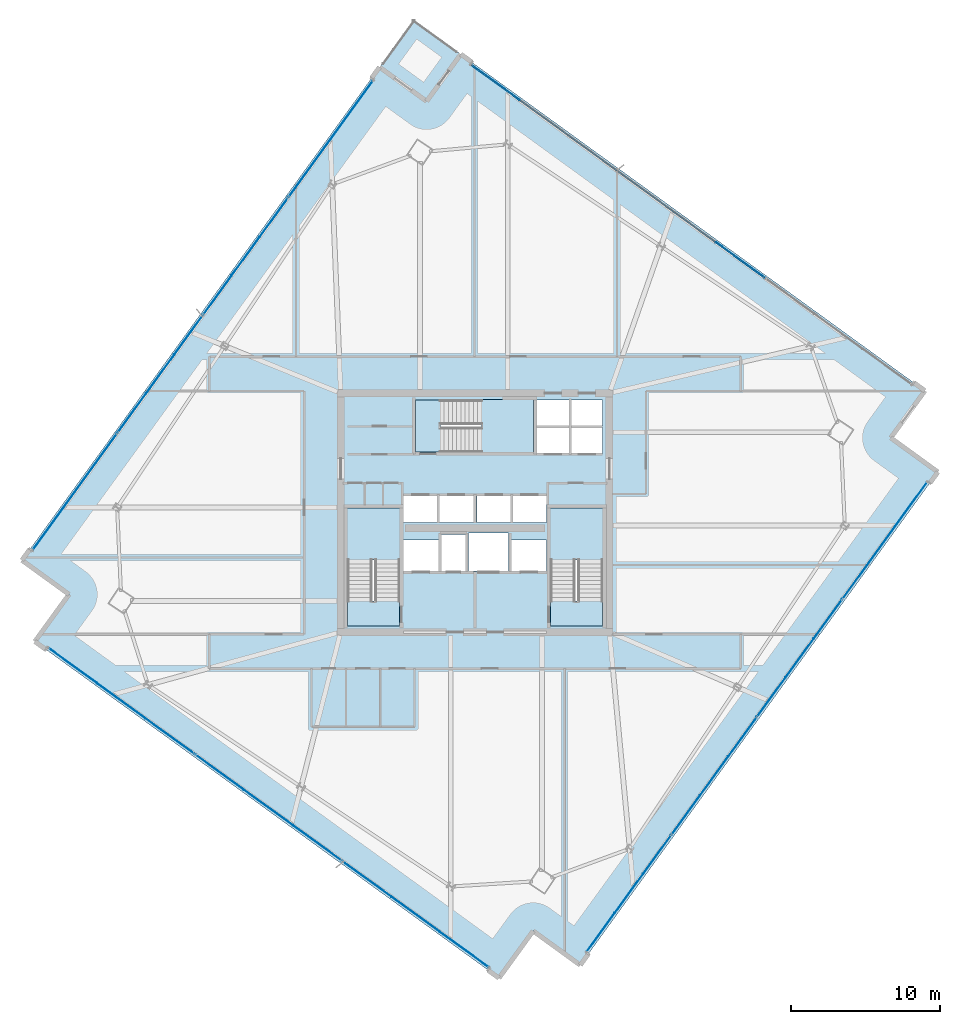
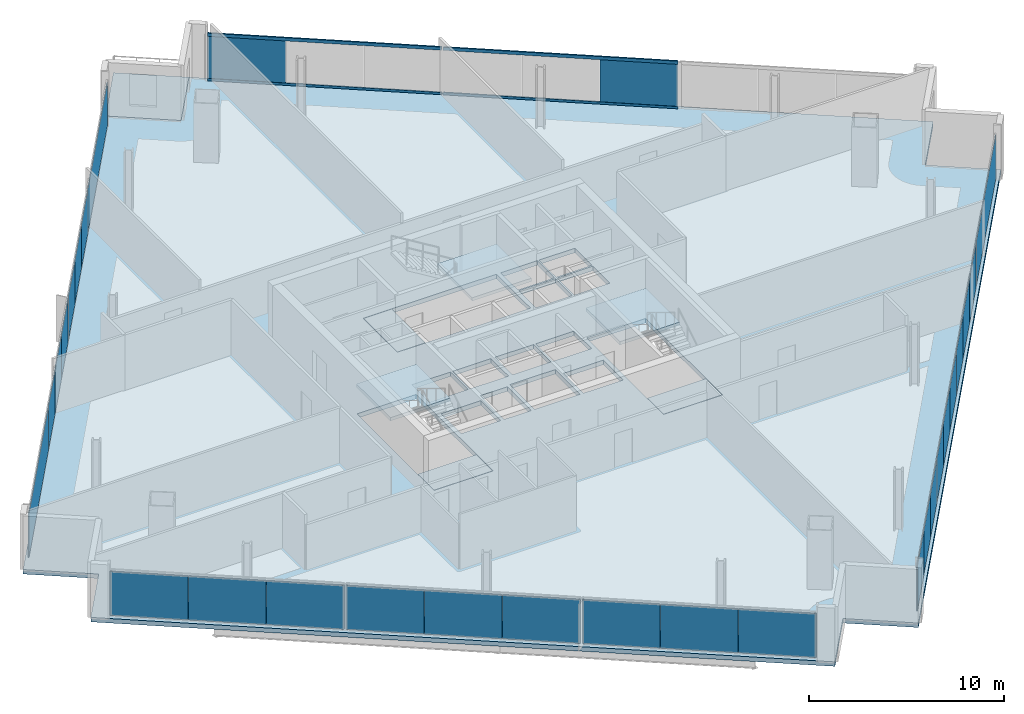
# One storey, part 20 of 29: 29 plates, 8 slabs, 4 members, 7 elements without a shape of their own.
"""IFC4 building model written with IfcOpenShell, lengths in metres."""

from ifc_helpers import new_model, si_unit, direction, frame, origin, origin_2d, place, context, subcontext, project, spatial, polyline, rectangle, hollow_rectangle, outline, extrude, source, transform, mapped, material, layer, layer_set, material_profile, profile_set, type_object, element, aggregate, save


model = new_model("IFC4")

# Units and contexts
model_context = context("Model", 3, precision=1e-05, world=origin(), true_north=direction((0.0, 1.0)))
body_context = subcontext(model_context, "Body", "Model", "MODEL_VIEW")
ifc_project = project(units=[si_unit("LENGTHUNIT", "METRE"), si_unit("AREAUNIT", "SQUARE_METRE"), si_unit("VOLUMEUNIT", "CUBIC_METRE"), si_unit("PLANEANGLEUNIT", "RADIAN"), si_unit("MASSUNIT", "GRAM", prefix="KILO")], contexts=[model_context])

# Site, building, storey
site_placement = place(None, origin())
site = spatial("IfcSite", under=ifc_project, at=site_placement, CompositionType="ELEMENT")
building_placement = place(site_placement, origin())
building = spatial("IfcBuilding", under=site, at=building_placement, Name="Haldenkirk Collegiate Tower", CompositionType="ELEMENT")
storey_placement = place(building_placement, frame((0.0, 0.0, 209.699951171875)))
storey = spatial("IfcBuildingStorey", under=building, at=storey_placement, Name="L52", CompositionType="ELEMENT", Elevation=209.699951171875)

# Curtain wall, members
ifc_material_1 = material(Name="Anodised architectural bronze aluminium", Category="aluminium")
curtain_wall_type_1 = type_object("IfcCurtainWallType", Name="CW-SYS1B-CONVEX-HI", PredefinedType="USERDEFINED", material=ifc_material_1)
curtain_wall_1_placement = place(storey_placement, origin())
curtain_wall_1 = element("IfcCurtainWall", 1, at=curtain_wall_1_placement, inside=storey, type_object=curtain_wall_type_1, Name="L52 Upper tower high-wind convex bronze unitised curtain wall", ObjectType="UNITISED CURTAIN WALL", PredefinedType="USERDEFINED")
ifc_material_profile = material_profile(ifc_material_1, hollow_rectangle(XDim=0.0849609375, YDim=0.199951171875, WallThickness=0.0048828125, at=origin_2d()), Name="CW-TRN-1B")
ifc_profile_set = profile_set([ifc_material_profile], Name="Anodised architectural bronze aluminium")
member_type = type_object("IfcMemberType", Name="CW-TRN-1B", PredefinedType="USERDEFINED", material=ifc_profile_set)
member_1_placement = place(storey_placement, frame((35.738525390625, 55.984619140625, 0.04248046875), z_axis=(0.80953812072, -0.587067313944, 0.0), x_axis=(0.587067313944, 0.80953812072, 0.0)))
member_1 = element("IfcMember", 2, at=member_1_placement, type_object=member_type, Name="CW-1B transom 1.1", ObjectType="TRANSOM", PredefinedType="USERDEFINED", context=body_context, shape_type="SweptSolid", body=[
    extrude(hollow_rectangle(XDim=0.0849609375, YDim=0.199951171875, WallThickness=0.0048828125, at=origin_2d()), origin(), (0.0, 0.0, 1.0), 12.072509765625),
])
member_2_placement = place(storey_placement, frame((35.738525390625, 55.984619140625, 2.885498046875), z_axis=(0.80953812072, -0.587067313944, 0.0), x_axis=(0.587067313944, 0.80953812072, 0.0)))
member_2 = element("IfcMember", 3, at=member_2_placement, type_object=member_type, Name="CW-1B transom 1.2", ObjectType="TRANSOM", PredefinedType="USERDEFINED", context=body_context, shape_type="SweptSolid", body=[
    extrude(hollow_rectangle(XDim=0.0849609375, YDim=0.199951171875, WallThickness=0.0048828125, at=origin_2d()), origin(), (0.0, 0.0, 1.0), 12.072509765625),
])
member_3_placement = place(storey_placement, frame((45.580322265625, 48.84716796875, 0.04248046875), z_axis=(0.809540529437, -0.587063992422, 0.0), x_axis=(0.587063992422, 0.809540529437, 0.0)))
member_3 = element("IfcMember", 4, at=member_3_placement, type_object=member_type, Name="CW-1B transom 2.1", ObjectType="TRANSOM", PredefinedType="USERDEFINED", context=body_context, shape_type="SweptSolid", body=[
    extrude(hollow_rectangle(XDim=0.0849609375, YDim=0.199951171875, WallThickness=0.0048828125, at=origin_2d()), origin(), (0.0, 0.0, 1.0), 12.114990234375),
])
member_4_placement = place(storey_placement, frame((45.580322265625, 48.84716796875, 2.885498046875), z_axis=(0.809540529437, -0.587063992422, 0.0), x_axis=(0.587063992422, 0.809540529437, 0.0)))
member_4 = element("IfcMember", 5, at=member_4_placement, type_object=member_type, Name="CW-1B transom 2.2", ObjectType="TRANSOM", PredefinedType="USERDEFINED", context=body_context, shape_type="SweptSolid", body=[
    extrude(hollow_rectangle(XDim=0.0849609375, YDim=0.199951171875, WallThickness=0.0048828125, at=origin_2d()), origin(), (0.0, 0.0, 1.0), 12.114990234375),
])

# Slab
ifc_material_2 = material(Name="Concrete f'c 40 MPa", Category="concrete")
ifc_layer_1 = layer(ifc_material_2, 0.280029296875)
ifc_layer_set_1 = layer_set([ifc_layer_1], Name="Concrete f'c 40 MPa")
slab_type_1 = type_object("IfcSlabType", Name="SLB-FLR-280", PredefinedType="FLOOR", material=ifc_layer_set_1)
slab_1_placement = place(storey_placement, frame((0.0, 0.0, -0.280029296875)))
element("IfcSlab", 6, at=slab_1_placement, inside=storey, type_object=slab_type_1, Name="L52 composite structural floor slab", PredefinedType="FLOOR", context=body_context, shape_type="SweptSolid", body=[
    extrude(outline(polyline([(43.047607421875, -4.310791015625), (67.00048828125, 28.718017578125), (63.84326171875, 31.0078125), (66.1328125, 34.164794921875), (35.046875, 56.708740234375), (32.75732421875, 53.551513671875), (29.60009765625, 55.841064453125), (5.647216796875, 22.812255859375), (8.804443359375, 20.522705078125), (6.514892578125, 17.365478515625), (37.600830078125, -5.17822265625), (39.890380859375, -2.021240234375), (43.047607421875, -4.310791015625)]), holes=[polyline([(27.449951171875, 18.39990234375), (30.949951171875, 18.39990234375), (30.949951171875, 26.300048828125), (27.449951171875, 26.300048828125), (27.449951171875, 18.39990234375)]), polyline([(41.050048828125, 18.39990234375), (44.550048828125, 18.39990234375), (44.550048828125, 26.300048828125), (41.050048828125, 26.300048828125), (41.050048828125, 18.39990234375)]), polyline([(32.0, 30.050048828125), (39.89990234375, 30.050048828125), (39.89990234375, 33.550048828125), (32.0, 33.550048828125), (32.0, 30.050048828125)]), polyline([(33.75, 22.10009765625), (35.35009765625, 22.10009765625), (35.35009765625, 24.550048828125), (33.75, 24.550048828125), (33.75, 22.10009765625)]), polyline([(40.14990234375, 29.949951171875), (42.320068359375, 29.949951171875), (42.320068359375, 31.699951171875), (40.14990234375, 31.699951171875), (40.14990234375, 29.949951171875)]), polyline([(42.419921875, 29.949951171875), (44.550048828125, 29.949951171875), (44.550048828125, 31.699951171875), (42.419921875, 31.699951171875), (42.419921875, 29.949951171875)]), polyline([(40.14990234375, 31.800048828125), (42.320068359375, 31.800048828125), (42.320068359375, 33.550048828125), (40.14990234375, 33.550048828125), (40.14990234375, 31.800048828125)]), polyline([(42.419921875, 31.800048828125), (44.550048828125, 31.800048828125), (44.550048828125, 33.550048828125), (42.419921875, 33.550048828125), (42.419921875, 31.800048828125)]), polyline([(31.199951171875, 25.35009765625), (33.47998046875, 25.35009765625), (33.47998046875, 27.14990234375), (31.199951171875, 27.14990234375), (31.199951171875, 25.35009765625)]), polyline([(33.60009765625, 25.35009765625), (35.8798828125, 25.35009765625), (35.8798828125, 27.14990234375), (33.60009765625, 27.14990234375), (33.60009765625, 25.35009765625)]), polyline([(36.1201171875, 25.35009765625), (38.39990234375, 25.35009765625), (38.39990234375, 27.14990234375), (36.1201171875, 27.14990234375), (36.1201171875, 25.35009765625)]), polyline([(38.52001953125, 25.35009765625), (40.800048828125, 25.35009765625), (40.800048828125, 27.14990234375), (38.52001953125, 27.14990234375), (38.52001953125, 25.35009765625)]), polyline([(31.199951171875, 22.10009765625), (33.550048828125, 22.10009765625), (33.550048828125, 24.14990234375), (31.199951171875, 24.14990234375), (31.199951171875, 22.10009765625)]), polyline([(38.449951171875, 22.10009765625), (40.800048828125, 22.10009765625), (40.800048828125, 24.14990234375), (38.449951171875, 24.14990234375), (38.449951171875, 22.10009765625)]), polyline([(35.550048828125, 22.10009765625), (38.25, 22.10009765625), (38.25, 24.64990234375), (35.550048828125, 24.64990234375), (35.550048828125, 22.10009765625)])]), origin(), (0.0, 0.0, 1.0), 0.280029296875),
])

# Stair, slab
stair_type = type_object("IfcStairType", Name="STR-DOGLEG-1650", PredefinedType="HALF_TURN_STAIR", material=ifc_material_2)
stair_1_placement = place(storey_placement, origin())
stair_1 = element("IfcStair", 7, at=stair_1_placement, inside=storey, type_object=stair_type, Name="L52 Core Exit Stair ST-1", PredefinedType="HALF_TURN_STAIR")
ifc_layer_2 = layer(ifc_material_2, 0.199951171875)
ifc_layer_set_2 = layer_set([ifc_layer_2], Name="Concrete f'c 40 MPa")
slab_type_2 = type_object("IfcSlabType", Name="SLB-LANDING-200", PredefinedType="LANDING", material=ifc_layer_set_2)
slab_2_placement = place(storey_placement, frame((0.0, 0.0, 1.675048828125)))
slab_2 = element("IfcSlab", 8, at=slab_2_placement, type_object=slab_type_2, Name="ST-1 landing 1", PredefinedType="LANDING", context=body_context, shape_type="SweptSolid", body=[
    extrude(outline(polyline([(30.97509765625, 22.824951171875), (27.425048828125, 22.824951171875), (27.425048828125, 26.324951171875), (30.97509765625, 26.324951171875), (30.97509765625, 22.824951171875)])), origin(), (0.0, 0.0, 1.0), 0.199951171875),
])
aggregate(stair_1, [slab_2])

stair_2_placement = place(storey_placement, origin())
stair_2 = element("IfcStair", 9, at=stair_2_placement, inside=storey, type_object=stair_type, Name="L52 Core Exit Stair ST-2", PredefinedType="HALF_TURN_STAIR")
slab_3_placement = place(storey_placement, frame((0.0, 0.0, 1.675048828125)))
slab_3 = element("IfcSlab", 10, at=slab_3_placement, type_object=slab_type_2, Name="ST-2 landing 1", PredefinedType="LANDING", context=body_context, shape_type="SweptSolid", body=[
    extrude(outline(polyline([(44.574951171875, 22.824951171875), (41.02490234375, 22.824951171875), (41.02490234375, 26.324951171875), (44.574951171875, 26.324951171875), (44.574951171875, 22.824951171875)])), origin(), (0.0, 0.0, 1.0), 0.199951171875),
])
aggregate(stair_2, [slab_3])

stair_3_placement = place(storey_placement, origin())
stair_3 = element("IfcStair", 11, at=stair_3_placement, inside=storey, type_object=stair_type, Name="L52 Core Exit Stair ST-3", PredefinedType="HALF_TURN_STAIR")
slab_4_placement = place(storey_placement, frame((0.0, 0.0, 1.675048828125)))
slab_4 = element("IfcSlab", 12, at=slab_4_placement, type_object=slab_type_2, Name="ST-3 landing 1", PredefinedType="LANDING", context=body_context, shape_type="SweptSolid", body=[
    extrude(outline(polyline([(36.425048828125, 30.02490234375), (36.425048828125, 33.574951171875), (39.925048828125, 33.574951171875), (39.925048828125, 30.02490234375), (36.425048828125, 30.02490234375)])), origin(), (0.0, 0.0, 1.0), 0.199951171875),
])
aggregate(stair_3, [slab_4])

# Slabs
ifc_layer_3 = layer(ifc_material_2, 0.25)
ifc_layer_set_3 = layer_set([ifc_layer_3], Name="Concrete f'c 40 MPa")
slab_type_3 = type_object("IfcSlabType", Name="SLB-STAIRLAND-250", PredefinedType="LANDING", material=ifc_layer_set_3)
slab_5_placement = place(storey_placement, frame((0.0, 0.0, -0.25)))
element("IfcSlab", 13, at=slab_5_placement, inside=storey, type_object=slab_type_3, Name="L52 stair ST1 structural floor landing slab", PredefinedType="LANDING", context=body_context, shape_type="SweptSolid", body=[
    extrude(outline(polyline([(27.4599609375, 18.409912109375), (30.93994140625, 18.409912109375), (30.93994140625, 20.080078125), (27.4599609375, 20.080078125), (27.4599609375, 18.409912109375)])), origin(), (0.0, 0.0, 1.0), 0.25),
])
slab_6_placement = place(storey_placement, frame((0.0, 0.0, -0.25)))
element("IfcSlab", 14, at=slab_6_placement, inside=storey, type_object=slab_type_3, Name="L52 stair ST2 structural floor landing slab", PredefinedType="LANDING", context=body_context, shape_type="SweptSolid", body=[
    extrude(outline(polyline([(41.06005859375, 18.409912109375), (44.5400390625, 18.409912109375), (44.5400390625, 20.080078125), (41.06005859375, 20.080078125), (41.06005859375, 18.409912109375)])), origin(), (0.0, 0.0, 1.0), 0.25),
])
slab_7_placement = place(storey_placement, frame((0.0, 0.0, -0.25)))
element("IfcSlab", 15, at=slab_7_placement, inside=storey, type_object=slab_type_3, Name="L52 stair ST3 structural floor landing slab", PredefinedType="LANDING", context=body_context, shape_type="SweptSolid", body=[
    extrude(outline(polyline([(32.010009765625, 30.06005859375), (33.679931640625, 30.06005859375), (33.679931640625, 33.5400390625), (32.010009765625, 33.5400390625), (32.010009765625, 30.06005859375)])), origin(), (0.0, 0.0, 1.0), 0.25),
])
ifc_layer_4 = layer(ifc_material_2, 0.22998046875)
ifc_layer_set_4 = layer_set([ifc_layer_4], Name="Concrete f'c 40 MPa")
slab_type_4 = type_object("IfcSlabType", Name="SLB-TERR-SPIRAL-230", PredefinedType="FLOOR", material=ifc_layer_set_4)
slab_8_placement = place(storey_placement, frame((0.0, 0.0, -0.22998046875)))
element("IfcSlab", 16, at=slab_8_placement, inside=storey, type_object=slab_type_4, Name="L52 spiralling corner terrace slab", PredefinedType="FLOOR", context=body_context, shape_type="SweptSolid", body=[
    extrude(outline(polyline([(32.75732421875, 53.551513671875), (35.046875, 56.708740234375), (31.8896484375, 58.998291015625), (29.60009765625, 55.841064453125), (32.75732421875, 53.551513671875)])), origin(), (0.0, 0.0, 1.0), 0.22998046875),
])

# Curtain wall, plates
curtain_wall_type_2 = type_object("IfcCurtainWallType", Name="CW-SYS2-CONCAVE", PredefinedType="USERDEFINED", material=ifc_material_1)
curtain_wall_2_placement = place(storey_placement, origin())
curtain_wall_2 = element("IfcCurtainWall", 17, at=curtain_wall_2_placement, inside=storey, type_object=curtain_wall_type_2, Name="L52 South concave recessed bronze-anodised curtain wall", ObjectType="UNITISED CURTAIN WALL", PredefinedType="USERDEFINED")
ifc_material_3 = material(Name="Low-E argon triple insulating glass", Category="glass")
ifc_layer_5 = layer(ifc_material_3, 0.0419921875)
ifc_layer_set_5 = layer_set([ifc_layer_5], Name="Low-E argon triple insulating glass")
plate_type_1 = type_object("IfcPlateType", Name="CW-PNL-02", PredefinedType="CURTAIN_PANEL", material=ifc_layer_set_5)
shared_shape_1 = source(origin(), body_context, "Body", "SweptSolid", [
    extrude(rectangle(XDim=9.637451171875, YDim=0.0419921875, at=origin_2d()), origin(), (0.0, 0.0, 1.0), 2.778076171875),
])
plate_1_placement = place(storey_placement, frame((63.453369140625, 24.133544921875, 0.0751953125), z_axis=(0.0, 0.0, 1.0), x_axis=(-0.587080004057, -0.809528917851, 0.0)))
plate_1 = element("IfcPlate", 18, at=plate_1_placement, type_object=plate_type_1, Name="CW-02 panel 1.1", PredefinedType="CURTAIN_PANEL", context=body_context, shape_type="MappedRepresentation", body=[
    mapped(shared_shape_1, transform((0.0, 0.0, 0.0), x_axis=(1.0, 0.0, 0.0), y_axis=(0.0, 1.0, 0.0), z_axis=(0.0, 0.0, 1.0), scale=1.0)),
])
ifc_material_4 = material(Name="Bronze-anodised insulated aluminium spandrel panel", Category="aluminium")
ifc_layer_6 = layer(ifc_material_4, 0.0419921875)
ifc_layer_set_6 = layer_set([ifc_layer_6], Name="Bronze-anodised insulated aluminium spandrel panel")
plate_type_2 = type_object("IfcPlateType", Name="CW-SPD-02", PredefinedType="CURTAIN_PANEL", material=ifc_layer_set_6)
shared_shape_2 = source(origin(), body_context, "Body", "SweptSolid", [
    extrude(rectangle(XDim=3.21240234375, YDim=0.0419921875, at=origin_2d()), origin(), (0.0, 0.0, 1.0), 2.778076171875),
])
plate_2_placement = place(storey_placement, frame((59.63720703125, 18.87158203125, 0.0751953125), z_axis=(0.0, 0.0, 1.0), x_axis=(-0.587080004057, -0.809528917851, 0.0)))
plate_2 = element("IfcPlate", 19, at=plate_2_placement, type_object=plate_type_2, Name="CW-02 spandrel panel 2.1a", PredefinedType="CURTAIN_PANEL", context=body_context, shape_type="MappedRepresentation", body=[
    mapped(shared_shape_2, transform((0.0, 0.0, 0.0), x_axis=(1.0, 0.0, 0.0), y_axis=(0.0, 1.0, 0.0), z_axis=(0.0, 0.0, 1.0), scale=1.0)),
])
plate_3_placement = place(storey_placement, frame((55.84326171875, 13.639892578125, 0.0751953125), z_axis=(0.0, 0.0, 1.0), x_axis=(-0.587080004057, -0.809528917851, 0.0)))
plate_3 = element("IfcPlate", 20, at=plate_3_placement, type_object=plate_type_2, Name="CW-02 spandrel panel 2.1c", PredefinedType="CURTAIN_PANEL", context=body_context, shape_type="MappedRepresentation", body=[
    mapped(shared_shape_2, transform((0.0, 0.0, 0.0), x_axis=(1.0, 0.0, 0.0), y_axis=(0.0, 1.0, 0.0), z_axis=(0.0, 0.0, 1.0), scale=1.0)),
])
plate_4_placement = place(storey_placement, frame((53.9130859375, 10.978515625, 0.0751953125), z_axis=(0.0, 0.0, 1.0), x_axis=(-0.587080004057, -0.809528917851, 0.0)))
plate_4 = element("IfcPlate", 21, at=plate_4_placement, type_object=plate_type_1, Name="CW-02 panel 3.1a", PredefinedType="CURTAIN_PANEL", context=body_context, shape_type="MappedRepresentation", body=[
    mapped(shared_shape_2, transform((0.0, 0.0, 0.0), x_axis=(1.0, 0.0, 0.0), y_axis=(0.0, 1.0, 0.0), z_axis=(0.0, 0.0, 1.0), scale=1.0)),
])
plate_5_placement = place(storey_placement, frame((50.119140625, 5.7470703125, 0.0751953125), z_axis=(0.0, 0.0, 1.0), x_axis=(-0.587080004057, -0.809528917851, 0.0)))
plate_5 = element("IfcPlate", 22, at=plate_5_placement, type_object=plate_type_2, Name="CW-02 spandrel panel 3.1c", PredefinedType="CURTAIN_PANEL", context=body_context, shape_type="MappedRepresentation", body=[
    mapped(shared_shape_2, transform((0.0, 0.0, 0.0), x_axis=(1.0, 0.0, 0.0), y_axis=(0.0, 1.0, 0.0), z_axis=(0.0, 0.0, 1.0), scale=1.0)),
])
shared_shape_3 = source(origin(), body_context, "Body", "SweptSolid", [
    extrude(rectangle(XDim=3.199951171875, YDim=0.0419921875, at=origin_2d()), origin(), (0.0, 0.0, 1.0), 2.778076171875),
])
plate_6_placement = place(storey_placement, frame((57.740234375, 16.255859375, 0.0751953125), z_axis=(0.0, 0.0, 1.0), x_axis=(-0.587080004057, -0.809528917851, 0.0)))
plate_6 = element("IfcPlate", 23, at=plate_6_placement, type_object=plate_type_2, Name="CW-02 spandrel panel 2.1b", PredefinedType="CURTAIN_PANEL", context=body_context, shape_type="MappedRepresentation", body=[
    mapped(shared_shape_3, transform((0.0, 0.0, 0.0), x_axis=(1.0, 0.0, 0.0), y_axis=(0.0, 1.0, 0.0), z_axis=(0.0, 0.0, 1.0), scale=1.0)),
])
plate_7_placement = place(storey_placement, frame((52.01611328125, 8.36279296875, 0.0751953125), z_axis=(0.0, 0.0, 1.0), x_axis=(-0.587080004057, -0.809528917851, 0.0)))
plate_7 = element("IfcPlate", 24, at=plate_7_placement, type_object=plate_type_1, Name="CW-02 panel 3.1b", PredefinedType="CURTAIN_PANEL", context=body_context, shape_type="MappedRepresentation", body=[
    mapped(shared_shape_3, transform((0.0, 0.0, 0.0), x_axis=(1.0, 0.0, 0.0), y_axis=(0.0, 1.0, 0.0), z_axis=(0.0, 0.0, 1.0), scale=1.0)),
])
plate_8_placement = place(storey_placement, frame((48.19287109375, 3.0908203125, 0.0751953125), z_axis=(0.0, 0.0, 1.0), x_axis=(-0.587080004057, -0.809528917851, 0.0)))
plate_8 = element("IfcPlate", 25, at=plate_8_placement, type_object=plate_type_2, Name="CW-02 spandrel panel 4.1a", PredefinedType="CURTAIN_PANEL", context=body_context, shape_type="MappedRepresentation", body=[
    mapped(shared_shape_3, transform((0.0, 0.0, 0.0), x_axis=(1.0, 0.0, 0.0), y_axis=(0.0, 1.0, 0.0), z_axis=(0.0, 0.0, 1.0), scale=1.0)),
])
plate_9_placement = place(storey_placement, frame((44.41357421875, -2.12060546875, 0.0751953125), z_axis=(0.0, 0.0, 1.0), x_axis=(-0.587080004057, -0.809528917851, 0.0)))
plate_9 = element("IfcPlate", 26, at=plate_9_placement, type_object=plate_type_1, Name="CW-02 panel 4.1c", PredefinedType="CURTAIN_PANEL", context=body_context, shape_type="MappedRepresentation", body=[
    mapped(shared_shape_3, transform((0.0, 0.0, 0.0), x_axis=(1.0, 0.0, 0.0), y_axis=(0.0, 1.0, 0.0), z_axis=(0.0, 0.0, 1.0), scale=1.0)),
])

# Plate
ifc_layer_7 = layer(ifc_material_3, 0.048095703125)
ifc_layer_set_7 = layer_set([ifc_layer_7], Name="Low-E argon triple insulating glass")
plate_type_3 = type_object("IfcPlateType", Name="CW-PNL-1B", PredefinedType="CURTAIN_PANEL", material=ifc_layer_set_7)
shared_shape_4 = source(origin(), body_context, "Body", "SweptSolid", [
    extrude(rectangle(XDim=4.02587890625, YDim=0.048095703125, at=origin_2d()), origin(), (0.0, 0.0, 1.0), 2.758056640625),
])
plate_10_placement = place(storey_placement, frame((53.75830078125, 42.91650390625, 0.0849609375), z_axis=(0.0, 0.0, 1.0), x_axis=(0.809528733476, -0.587080258293, 0.0)))
plate_10 = element("IfcPlate", 27, at=plate_10_placement, type_object=plate_type_3, Name="CW-1B panel 2.1c", PredefinedType="CURTAIN_PANEL", context=body_context, shape_type="MappedRepresentation", body=[
    mapped(shared_shape_4, transform((0.0, 0.0, 0.0), x_axis=(1.0, 0.0, 0.0), y_axis=(0.0, 1.0, 0.0), z_axis=(0.0, 0.0, 1.0), scale=1.0)),
])

# Curtain wall, plates
curtain_wall_3_placement = place(storey_placement, origin())
curtain_wall_3 = element("IfcCurtainWall", 28, at=curtain_wall_3_placement, inside=storey, type_object=curtain_wall_type_1, Name="L52 Upper tower high-wind convex bronze unitised curtain wall", ObjectType="UNITISED CURTAIN WALL", PredefinedType="USERDEFINED")
ifc_layer_8 = layer(ifc_material_4, 0.048095703125)
ifc_layer_set_8 = layer_set([ifc_layer_8], Name="Bronze-anodised insulated aluminium spandrel panel")
plate_type_4 = type_object("IfcPlateType", Name="CW-SPD-1B", PredefinedType="CURTAIN_PANEL", material=ifc_layer_set_8)
plate_11_placement = place(storey_placement, frame((25.437744140625, 3.86474609375, 0.0849609375), z_axis=(0.0, 0.0, 1.0), x_axis=(-0.809530973689, 0.587077169236, 0.0)))
plate_11 = element("IfcPlate", 29, at=plate_11_placement, type_object=plate_type_4, Name="CW-1B spandrel panel 2.1a", PredefinedType="CURTAIN_PANEL", context=body_context, shape_type="MappedRepresentation", body=[
    mapped(shared_shape_4, transform((0.0, 0.0, 0.0), x_axis=(1.0, 0.0, 0.0), y_axis=(0.0, 1.0, 0.0), z_axis=(0.0, 0.0, 1.0), scale=1.0)),
])
plate_12_placement = place(storey_placement, frame((18.889404296875, 8.61376953125, 0.0849609375), z_axis=(0.0, 0.0, 1.0), x_axis=(-0.809530973689, 0.587077169236, 0.0)))
plate_12 = element("IfcPlate", 30, at=plate_12_placement, type_object=plate_type_3, Name="CW-1B panel 2.1c", PredefinedType="CURTAIN_PANEL", context=body_context, shape_type="MappedRepresentation", body=[
    mapped(shared_shape_4, transform((0.0, 0.0, 0.0), x_axis=(1.0, 0.0, 0.0), y_axis=(0.0, 1.0, 0.0), z_axis=(0.0, 0.0, 1.0), scale=1.0)),
])
shared_shape_5 = source(origin(), body_context, "Body", "SweptSolid", [
    extrude(rectangle(XDim=4.01318359375, YDim=0.048095703125, at=origin_2d()), origin(), (0.0, 0.0, 1.0), 2.758056640625),
])
plate_13_placement = place(storey_placement, frame((22.16357421875, 6.2392578125, 0.0849609375), z_axis=(0.0, 0.0, 1.0), x_axis=(-0.809530973689, 0.587077169236, 0.0)))
plate_13 = element("IfcPlate", 31, at=plate_13_placement, type_object=plate_type_4, Name="CW-1B spandrel panel 2.1b", PredefinedType="CURTAIN_PANEL", context=body_context, shape_type="MappedRepresentation", body=[
    mapped(shared_shape_5, transform((0.0, 0.0, 0.0), x_axis=(1.0, 0.0, 0.0), y_axis=(0.0, 1.0, 0.0), z_axis=(0.0, 0.0, 1.0), scale=1.0)),
])

# Plate
shared_shape_6 = source(origin(), body_context, "Body", "SweptSolid", [
    extrude(rectangle(XDim=4.01171875, YDim=0.048095703125, at=origin_2d()), origin(), (0.0, 0.0, 1.0), 2.758056640625),
])
plate_14_placement = place(storey_placement, frame((37.3623046875, 54.80712890625, 0.0849609375), z_axis=(0.0, 0.0, 1.0), x_axis=(0.809528733476, -0.587080258293, 0.0)))
plate_14 = element("IfcPlate", 32, at=plate_14_placement, type_object=plate_type_3, Name="CW-1B panel 1.1a", PredefinedType="CURTAIN_PANEL", context=body_context, shape_type="MappedRepresentation", body=[
    mapped(shared_shape_6, transform((0.0, 0.0, 0.0), x_axis=(1.0, 0.0, 0.0), y_axis=(0.0, 1.0, 0.0), z_axis=(0.0, 0.0, 1.0), scale=1.0)),
])

aggregate(curtain_wall_1, [member_1, member_2, plate_14, member_3, member_4, plate_10])

plate_15_placement = place(storey_placement, frame((35.285400390625, -3.276611328125, 0.0849609375), z_axis=(0.0, 0.0, 1.0), x_axis=(-0.809530973689, 0.587077169236, 0.0)))
plate_15 = element("IfcPlate", 33, at=plate_15_placement, type_object=plate_type_3, Name="CW-1B panel 1.1a", PredefinedType="CURTAIN_PANEL", context=body_context, shape_type="MappedRepresentation", body=[
    mapped(shared_shape_6, transform((0.0, 0.0, 0.0), x_axis=(1.0, 0.0, 0.0), y_axis=(0.0, 1.0, 0.0), z_axis=(0.0, 0.0, 1.0), scale=1.0)),
])

plate_16_placement = place(storey_placement, frame((28.759765625, 1.45556640625, 0.0849609375), z_axis=(0.0, 0.0, 1.0), x_axis=(-0.809530973689, 0.587077169236, 0.0)))
plate_16 = element("IfcPlate", 34, at=plate_16_placement, type_object=plate_type_4, Name="CW-1B spandrel panel 1.1c", PredefinedType="CURTAIN_PANEL", context=body_context, shape_type="MappedRepresentation", body=[
    mapped(shared_shape_6, transform((0.0, 0.0, 0.0), x_axis=(1.0, 0.0, 0.0), y_axis=(0.0, 1.0, 0.0), z_axis=(0.0, 0.0, 1.0), scale=1.0)),
])

plate_17_placement = place(storey_placement, frame((15.567138671875, 11.02294921875, 0.0849609375), z_axis=(0.0, 0.0, 1.0), x_axis=(-0.809530973689, 0.587077169236, 0.0)))
plate_17 = element("IfcPlate", 35, at=plate_17_placement, type_object=plate_type_4, Name="CW-1B spandrel panel 3.1a", PredefinedType="CURTAIN_PANEL", context=body_context, shape_type="MappedRepresentation", body=[
    mapped(shared_shape_6, transform((0.0, 0.0, 0.0), x_axis=(1.0, 0.0, 0.0), y_axis=(0.0, 1.0, 0.0), z_axis=(0.0, 0.0, 1.0), scale=1.0)),
])

plate_18_placement = place(storey_placement, frame((9.041748046875, 15.75537109375, 0.0849609375), z_axis=(0.0, 0.0, 1.0), x_axis=(-0.809530973689, 0.587077169236, 0.0)))
plate_18 = element("IfcPlate", 36, at=plate_18_placement, type_object=plate_type_3, Name="CW-1B panel 3.1c", PredefinedType="CURTAIN_PANEL", context=body_context, shape_type="MappedRepresentation", body=[
    mapped(shared_shape_6, transform((0.0, 0.0, 0.0), x_axis=(1.0, 0.0, 0.0), y_axis=(0.0, 1.0, 0.0), z_axis=(0.0, 0.0, 1.0), scale=1.0)),
])

shared_shape_7 = source(origin(), body_context, "Body", "SweptSolid", [
    extrude(rectangle(XDim=3.999267578125, YDim=0.048095703125, at=origin_2d()), origin(), (0.0, 0.0, 1.0), 2.758056640625),
])
plate_19_placement = place(storey_placement, frame((32.022705078125, -0.91064453125, 0.0849609375), z_axis=(0.0, 0.0, 1.0), x_axis=(-0.809530973689, 0.587077169236, 0.0)))
plate_19 = element("IfcPlate", 37, at=plate_19_placement, type_object=plate_type_3, Name="CW-1B panel 1.1b", PredefinedType="CURTAIN_PANEL", context=body_context, shape_type="MappedRepresentation", body=[
    mapped(shared_shape_7, transform((0.0, 0.0, 0.0), x_axis=(1.0, 0.0, 0.0), y_axis=(0.0, 1.0, 0.0), z_axis=(0.0, 0.0, 1.0), scale=1.0)),
])

plate_20_placement = place(storey_placement, frame((12.304443359375, 13.38916015625, 0.0849609375), z_axis=(0.0, 0.0, 1.0), x_axis=(-0.809530973689, 0.587077169236, 0.0)))
plate_20 = element("IfcPlate", 38, at=plate_20_placement, type_object=plate_type_4, Name="CW-1B spandrel panel 3.1b", PredefinedType="CURTAIN_PANEL", context=body_context, shape_type="MappedRepresentation", body=[
    mapped(shared_shape_7, transform((0.0, 0.0, 0.0), x_axis=(1.0, 0.0, 0.0), y_axis=(0.0, 1.0, 0.0), z_axis=(0.0, 0.0, 1.0), scale=1.0)),
])

aggregate(curtain_wall_3, [plate_15, plate_19, plate_16, plate_11, plate_13, plate_12, plate_17, plate_20, plate_18])

# Curtain wall, plates
curtain_wall_4_placement = place(storey_placement, origin())
curtain_wall_4 = element("IfcCurtainWall", 39, at=curtain_wall_4_placement, inside=storey, type_object=curtain_wall_type_1, Name="L52 Upper tower high-wind convex bronze unitised curtain wall", ObjectType="UNITISED CURTAIN WALL", PredefinedType="USERDEFINED")
shared_shape_8 = source(origin(), body_context, "Body", "SweptSolid", [
    extrude(rectangle(XDim=9.62255859375, YDim=0.048095703125, at=origin_2d()), origin(), (0.0, 0.0, 1.0), 2.758056640625),
])
plate_21_placement = place(storey_placement, frame((9.19580078125, 27.39892578125, 0.0849609375), z_axis=(0.0, 0.0, 1.0), x_axis=(0.5870783237, 0.809530136463, 0.0)))
plate_21 = element("IfcPlate", 40, at=plate_21_placement, type_object=plate_type_3, Name="CW-1B panel 1.1", PredefinedType="CURTAIN_PANEL", context=body_context, shape_type="MappedRepresentation", body=[
    mapped(shared_shape_8, transform((0.0, 0.0, 0.0), x_axis=(1.0, 0.0, 0.0), y_axis=(0.0, 1.0, 0.0), z_axis=(0.0, 0.0, 1.0), scale=1.0)),
])
plate_22_placement = place(storey_placement, frame((26.343017578125, 51.043212890625, 0.0849609375), z_axis=(0.0, 0.0, 1.0), x_axis=(0.5870783237, 0.809530136463, 0.0)))
plate_22 = element("IfcPlate", 41, at=plate_22_placement, type_object=plate_type_3, Name="CW-1B panel 4.1", PredefinedType="CURTAIN_PANEL", context=body_context, shape_type="MappedRepresentation", body=[
    mapped(shared_shape_8, transform((0.0, 0.0, 0.0), x_axis=(1.0, 0.0, 0.0), y_axis=(0.0, 1.0, 0.0), z_axis=(0.0, 0.0, 1.0), scale=1.0)),
])
shared_shape_9 = source(origin(), body_context, "Body", "SweptSolid", [
    extrude(rectangle(XDim=3.209228515625, YDim=0.048095703125, at=origin_2d()), origin(), (0.0, 0.0, 1.0), 2.758056640625),
])
plate_23_placement = place(storey_placement, frame((13.012451171875, 32.66162109375, 0.0849609375), z_axis=(0.0, 0.0, 1.0), x_axis=(0.5870783237, 0.809530136463, 0.0)))
plate_23 = element("IfcPlate", 42, at=plate_23_placement, type_object=plate_type_4, Name="CW-1B spandrel panel 2.1a", PredefinedType="CURTAIN_PANEL", context=body_context, shape_type="MappedRepresentation", body=[
    mapped(shared_shape_9, transform((0.0, 0.0, 0.0), x_axis=(1.0, 0.0, 0.0), y_axis=(0.0, 1.0, 0.0), z_axis=(0.0, 0.0, 1.0), scale=1.0)),
])
plate_24_placement = place(storey_placement, frame((16.802490234375, 37.8876953125, 0.0849609375), z_axis=(0.0, 0.0, 1.0), x_axis=(0.5870783237, 0.809530136463, 0.0)))
plate_24 = element("IfcPlate", 43, at=plate_24_placement, type_object=plate_type_4, Name="CW-1B spandrel panel 2.1c", PredefinedType="CURTAIN_PANEL", context=body_context, shape_type="MappedRepresentation", body=[
    mapped(shared_shape_9, transform((0.0, 0.0, 0.0), x_axis=(1.0, 0.0, 0.0), y_axis=(0.0, 1.0, 0.0), z_axis=(0.0, 0.0, 1.0), scale=1.0)),
])
plate_25_placement = place(storey_placement, frame((18.736328125, 40.554443359375, 0.0849609375), z_axis=(0.0, 0.0, 1.0), x_axis=(0.5870783237, 0.809530136463, 0.0)))
plate_25 = element("IfcPlate", 44, at=plate_25_placement, type_object=plate_type_4, Name="CW-1B spandrel panel 3.1a", PredefinedType="CURTAIN_PANEL", context=body_context, shape_type="MappedRepresentation", body=[
    mapped(shared_shape_9, transform((0.0, 0.0, 0.0), x_axis=(1.0, 0.0, 0.0), y_axis=(0.0, 1.0, 0.0), z_axis=(0.0, 0.0, 1.0), scale=1.0)),
])
plate_26_placement = place(storey_placement, frame((22.5263671875, 45.780517578125, 0.0849609375), z_axis=(0.0, 0.0, 1.0), x_axis=(0.5870783237, 0.809530136463, 0.0)))
plate_26 = element("IfcPlate", 45, at=plate_26_placement, type_object=plate_type_3, Name="CW-1B panel 3.1c", PredefinedType="CURTAIN_PANEL", context=body_context, shape_type="MappedRepresentation", body=[
    mapped(shared_shape_9, transform((0.0, 0.0, 0.0), x_axis=(1.0, 0.0, 0.0), y_axis=(0.0, 1.0, 0.0), z_axis=(0.0, 0.0, 1.0), scale=1.0)),
])
shared_shape_10 = source(origin(), body_context, "Body", "SweptSolid", [
    extrude(rectangle(XDim=3.19677734375, YDim=0.048095703125, at=origin_2d()), origin(), (0.0, 0.0, 1.0), 2.758056640625),
])
plate_27_placement = place(storey_placement, frame((14.907470703125, 35.274658203125, 0.0849609375), z_axis=(0.0, 0.0, 1.0), x_axis=(0.5870783237, 0.809530136463, 0.0)))
plate_27 = element("IfcPlate", 46, at=plate_27_placement, type_object=plate_type_4, Name="CW-1B spandrel panel 2.1b", PredefinedType="CURTAIN_PANEL", context=body_context, shape_type="MappedRepresentation", body=[
    mapped(shared_shape_10, transform((0.0, 0.0, 0.0), x_axis=(1.0, 0.0, 0.0), y_axis=(0.0, 1.0, 0.0), z_axis=(0.0, 0.0, 1.0), scale=1.0)),
])
plate_28_placement = place(storey_placement, frame((20.63134765625, 43.16748046875, 0.0849609375), z_axis=(0.0, 0.0, 1.0), x_axis=(0.5870783237, 0.809530136463, 0.0)))
plate_28 = element("IfcPlate", 47, at=plate_28_placement, type_object=plate_type_4, Name="CW-1B spandrel panel 3.1b", PredefinedType="CURTAIN_PANEL", context=body_context, shape_type="MappedRepresentation", body=[
    mapped(shared_shape_10, transform((0.0, 0.0, 0.0), x_axis=(1.0, 0.0, 0.0), y_axis=(0.0, 1.0, 0.0), z_axis=(0.0, 0.0, 1.0), scale=1.0)),
])
aggregate(curtain_wall_4, [plate_21, plate_23, plate_27, plate_24, plate_25, plate_28, plate_26, plate_22])

# Plate
shared_shape_11 = source(origin(), body_context, "Body", "SweptSolid", [
    extrude(rectangle(XDim=3.1875, YDim=0.0419921875, at=origin_2d()), origin(), (0.0, 0.0, 1.0), 2.778076171875),
])
plate_29_placement = place(storey_placement, frame((46.30322265625, 0.485107421875, 0.0751953125), z_axis=(0.0, 0.0, 1.0), x_axis=(-0.587080004057, -0.809528917851, 0.0)))
plate_29 = element("IfcPlate", 48, at=plate_29_placement, type_object=plate_type_1, Name="CW-02 panel 4.1b", PredefinedType="CURTAIN_PANEL", context=body_context, shape_type="MappedRepresentation", body=[
    mapped(shared_shape_11, transform((0.0, 0.0, 0.0), x_axis=(1.0, 0.0, 0.0), y_axis=(0.0, 1.0, 0.0), z_axis=(0.0, 0.0, 1.0), scale=1.0)),
])

aggregate(curtain_wall_2, [plate_1, plate_2, plate_6, plate_3, plate_4, plate_7, plate_5, plate_8, plate_29, plate_9])

save(model, "model.ifc")
